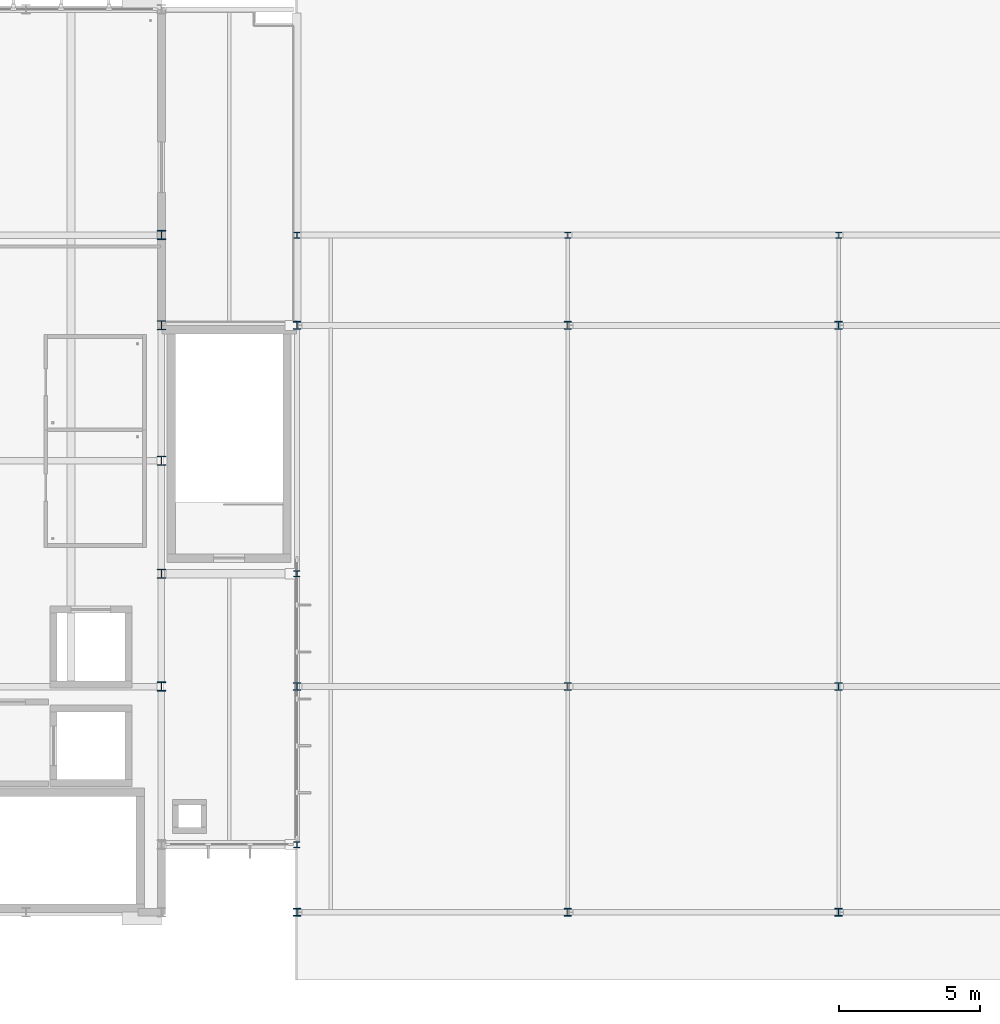
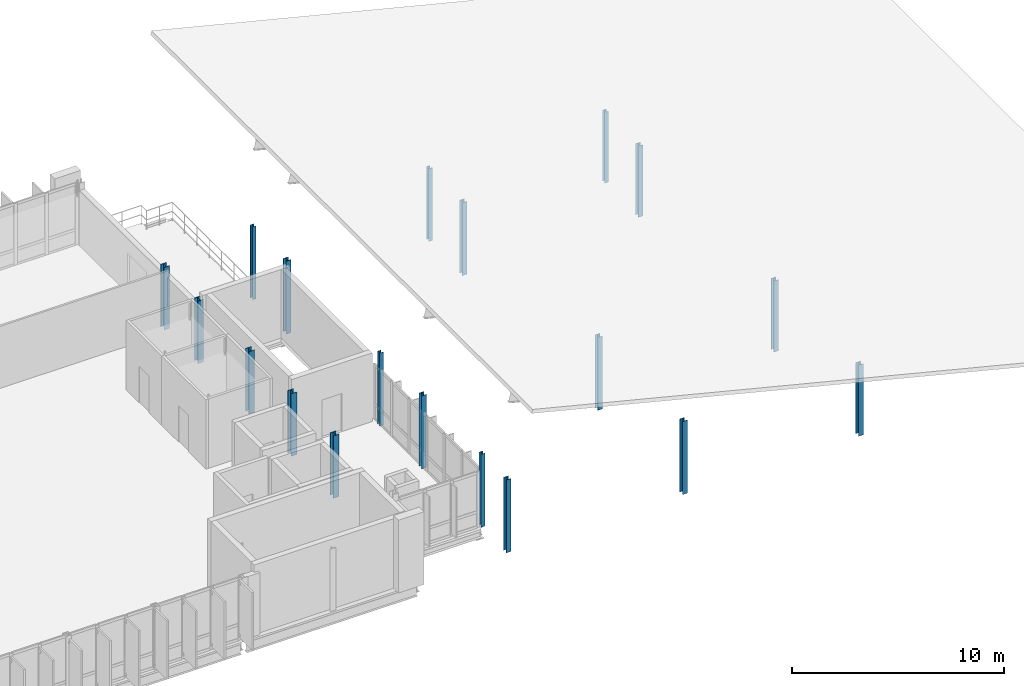
# One storey, part 2 of 22: 19 columns.
"""IFC4 building model written with IfcOpenShell, lengths in metres."""

from ifc_helpers import new_model, si_unit, direction, frame, origin, origin_2d, place, context, subcontext, project, spatial, i_section, extrude, material, material_profile, profile_set, type_object, element, save


model = new_model("IFC4")

# Units and contexts
model_context = context("Model", 3, precision=1e-05, world=origin(), true_north=direction((0.0, 1.0)))
body_context = subcontext(model_context, "Body", "Model", "MODEL_VIEW")
ifc_project = project(units=[si_unit("LENGTHUNIT", "METRE"), si_unit("AREAUNIT", "SQUARE_METRE"), si_unit("VOLUMEUNIT", "CUBIC_METRE"), si_unit("PLANEANGLEUNIT", "RADIAN"), si_unit("MASSUNIT", "GRAM", prefix="KILO")], contexts=[model_context])

# Site, building, storey
site_placement = place(None, origin())
site = spatial("IfcSite", under=ifc_project, at=site_placement, CompositionType="ELEMENT")
building_placement = place(site_placement, origin())
building = spatial("IfcBuilding", under=site, at=building_placement, Name="Dunescarp Central Library", CompositionType="ELEMENT")
storey_placement = place(building_placement, frame((0.0, 0.0, 27.60009765625)))
storey = spatial("IfcBuildingStorey", under=building, at=storey_placement, Name="L06", CompositionType="ELEMENT", Elevation=27.60009765625)

# Columns
ifc_material = material(Name="Steel S355JR", Category="steel")
ifc_material_profile_1 = material_profile(ifc_material, i_section(OverallWidth=0.206298828125, OverallDepth=0.2158203125, WebThickness=0.010009765625, FlangeThickness=0.017333984375, at=origin_2d()), Name="UC 203x203x71")
ifc_profile_set_1 = profile_set([ifc_material_profile_1], Name="Steel S355JR")
column_type_1 = type_object("IfcColumnType", Name="STR-COL-UC203X71", PredefinedType="COLUMN", material=ifc_profile_set_1)
for number, where, z_axis, x_axis, name in (
    (1, (38.39990234375, 28.800048828125, 0.0), (0.0, 0.0, 1.0), (1.0, 0.0, 0.0), "L06 column V2N5-384"),
    (2, (48.0, 28.800048828125, 0.0), (0.0, 0.0, 1.0), (1.0, 0.0, 0.0), "L06 column V2N5-480"),
):
    element("IfcColumn", number, at=place(storey_placement, frame(where, z_axis=z_axis, x_axis=x_axis)), inside=storey, type_object=column_type_1, Name=name, PredefinedType="COLUMN", context=body_context, shape_type="SweptSolid", body=[
        extrude(i_section(OverallWidth=0.206298828125, OverallDepth=0.2158203125, WebThickness=0.010009765625, FlangeThickness=0.017333984375, at=origin_2d()), origin(), (0.0, 0.0, 1.0), 4.199951171875),
    ])
column_placement = place(storey_placement, frame((57.60009765625, 28.800048828125, 0.0), z_axis=(0.0, 0.0, 1.0), x_axis=(1.0, 0.0, 0.0)))
element("IfcColumn", 3, at=column_placement, inside=storey, type_object=column_type_1, Name="L06 column V2N5-576", PredefinedType="COLUMN", context=body_context, shape_type="SweptSolid", body=[
    extrude(i_section(OverallWidth=0.206298828125, OverallDepth=0.2158203125, WebThickness=0.010009765625, FlangeThickness=0.017333984375, at=origin_2d()), origin(), (0.0, 0.0, 1.0), 4.093017578125),
])
for number, where, z_axis, x_axis, name in (
    (4, (38.39990234375, 7.199951171875, 0.0), (0.0, 0.0, 1.0), (1.0, 0.0, 0.0), "L06 column V2L-384-72"),
    (5, (38.39990234375, 16.800048828125, 0.0), (0.0, 0.0, 1.0), (1.0, 0.0, 0.0), "L06 column V2L-384-168"),
):
    element("IfcColumn", number, at=place(storey_placement, frame(where, z_axis=z_axis, x_axis=x_axis)), inside=storey, type_object=column_type_1, Name=name, PredefinedType="COLUMN", context=body_context, shape_type="SweptSolid", body=[
        extrude(i_section(OverallWidth=0.206298828125, OverallDepth=0.2158203125, WebThickness=0.010009765625, FlangeThickness=0.017333984375, at=origin_2d()), origin(), (0.0, 0.0, 1.0), 4.199951171875),
    ])
ifc_material_profile_2 = material_profile(ifc_material, i_section(OverallWidth=0.26123046875, OverallDepth=0.2763671875, WebThickness=0.015380859375, FlangeThickness=0.025390625, at=origin_2d()), Name="UC 254x254x132")
ifc_profile_set_2 = profile_set([ifc_material_profile_2], Name="Steel S355JR")
column_type_2 = type_object("IfcColumnType", Name="STR-COL-UC254X132", PredefinedType="COLUMN", material=ifc_profile_set_2)
for number, where, z_axis, x_axis, name in (
    (6, (38.39990234375, 4.800048828125, 0.0), (0.0, 0.0, 1.0), (1.0, 0.0, 0.0), "L06 column V2-384-48"),
    (7, (38.39990234375, 12.800048828125, 0.0), (0.0, 0.0, 1.0), (1.0, 0.0, 0.0), "L06 column V2-384-128"),
    (8, (38.39990234375, 25.60009765625, 0.0), (0.0, 0.0, 1.0), (1.0, 0.0, 0.0), "L06 column V2-384-256"),
    (9, (48.0, 4.800048828125, 0.0), (0.0, 0.0, 1.0), (1.0, 0.0, 0.0), "L06 column V2-480-48"),
    (10, (48.0, 12.800048828125, 0.0), (0.0, 0.0, 1.0), (1.0, 0.0, 0.0), "L06 column V2-480-128"),
    (11, (48.0, 25.60009765625, 0.0), (0.0, 0.0, 1.0), (1.0, 0.0, 0.0), "L06 column V2-480-256"),
):
    element("IfcColumn", number, at=place(storey_placement, frame(where, z_axis=z_axis, x_axis=x_axis)), inside=storey, type_object=column_type_2, Name=name, PredefinedType="COLUMN", context=body_context, shape_type="SweptSolid", body=[
        extrude(i_section(OverallWidth=0.26123046875, OverallDepth=0.2763671875, WebThickness=0.015380859375, FlangeThickness=0.025390625, at=origin_2d()), origin(), (0.0, 0.0, 1.0), 4.199951171875),
    ])
for number, where, z_axis, x_axis, name in (
    (12, (57.60009765625, 4.800048828125, 0.0), (0.0, 0.0, 1.0), (1.0, 0.0, 0.0), "L06 column V2-576-48"),
    (13, (57.60009765625, 12.800048828125, 0.0), (0.0, 0.0, 1.0), (1.0, 0.0, 0.0), "L06 column V2-576-128"),
    (14, (57.60009765625, 25.60009765625, 0.0), (0.0, 0.0, 1.0), (1.0, 0.0, 0.0), "L06 column V2-576-256"),
):
    element("IfcColumn", number, at=place(storey_placement, frame(where, z_axis=z_axis, x_axis=x_axis)), inside=storey, type_object=column_type_2, Name=name, PredefinedType="COLUMN", context=body_context, shape_type="SweptSolid", body=[
        extrude(i_section(OverallWidth=0.26123046875, OverallDepth=0.2763671875, WebThickness=0.015380859375, FlangeThickness=0.025390625, at=origin_2d()), origin(), (0.0, 0.0, 1.0), 4.093017578125),
    ])
ifc_material_profile_3 = material_profile(ifc_material, i_section(OverallWidth=0.311279296875, OverallDepth=0.3271484375, WebThickness=0.015869140625, FlangeThickness=0.02490234375, at=origin_2d()), Name="UC 305x305x158")
ifc_profile_set_3 = profile_set([ifc_material_profile_3], Name="Steel S355JR")
column_type_3 = type_object("IfcColumnType", Name="STR-COL-UC305X158", PredefinedType="COLUMN", material=ifc_profile_set_3)
for number, where, z_axis, x_axis, name in (
    (15, (33.60009765625, 12.800048828125, 0.0), (0.0, 0.0, 1.0), (1.0, 0.0, 0.0), "L06 column V1P-336-128"),
    (16, (33.60009765625, 16.800048828125, 0.0), (0.0, 0.0, 1.0), (1.0, 0.0, 0.0), "L06 column V1P-336-168"),
    (17, (33.60009765625, 20.800048828125, 0.0), (0.0, 0.0, 1.0), (1.0, 0.0, 0.0), "L06 column V1P-336-208"),
    (18, (33.60009765625, 25.60009765625, 0.0), (0.0, 0.0, 1.0), (1.0, 0.0, 0.0), "L06 column V1P-336-256"),
    (19, (33.60009765625, 28.800048828125, 0.0), (0.0, 0.0, 1.0), (1.0, 0.0, 0.0), "L06 column V1P-336-288"),
):
    element("IfcColumn", number, at=place(storey_placement, frame(where, z_axis=z_axis, x_axis=x_axis)), inside=storey, type_object=column_type_3, Name=name, PredefinedType="COLUMN", context=body_context, shape_type="SweptSolid", body=[
        extrude(i_section(OverallWidth=0.311279296875, OverallDepth=0.3271484375, WebThickness=0.015869140625, FlangeThickness=0.02490234375, at=origin_2d()), origin(), (0.0, 0.0, 1.0), 3.599853515625),
    ])

save(model, "model.ifc")
